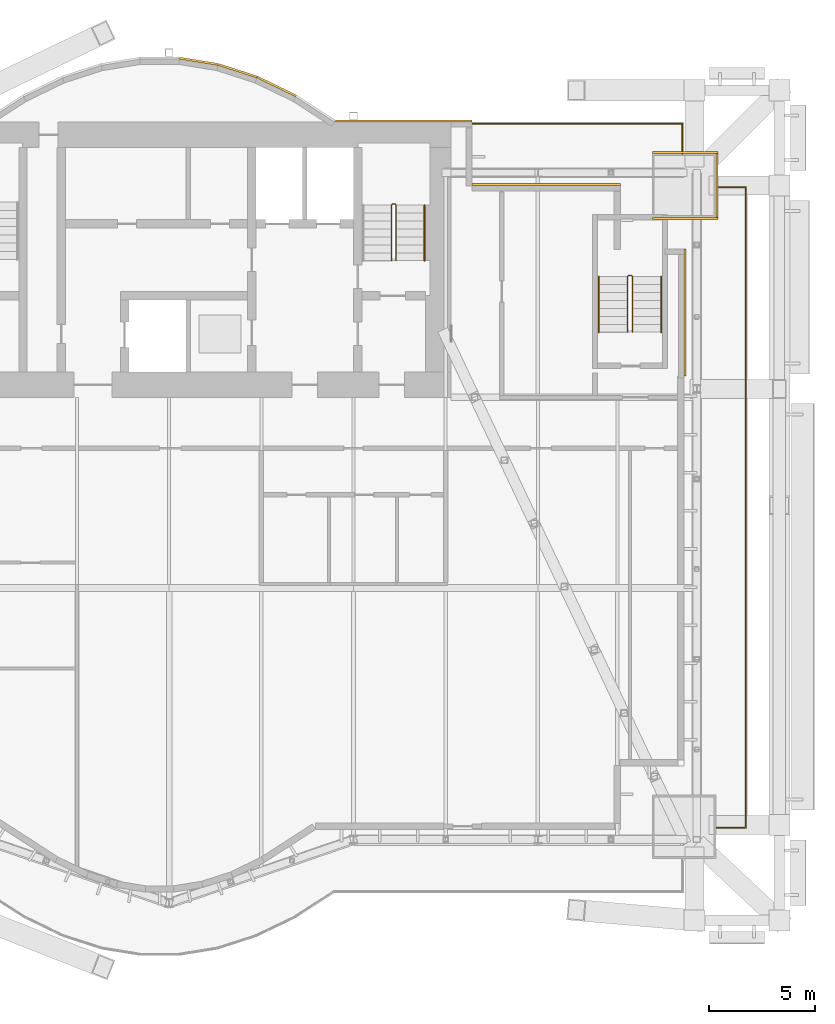
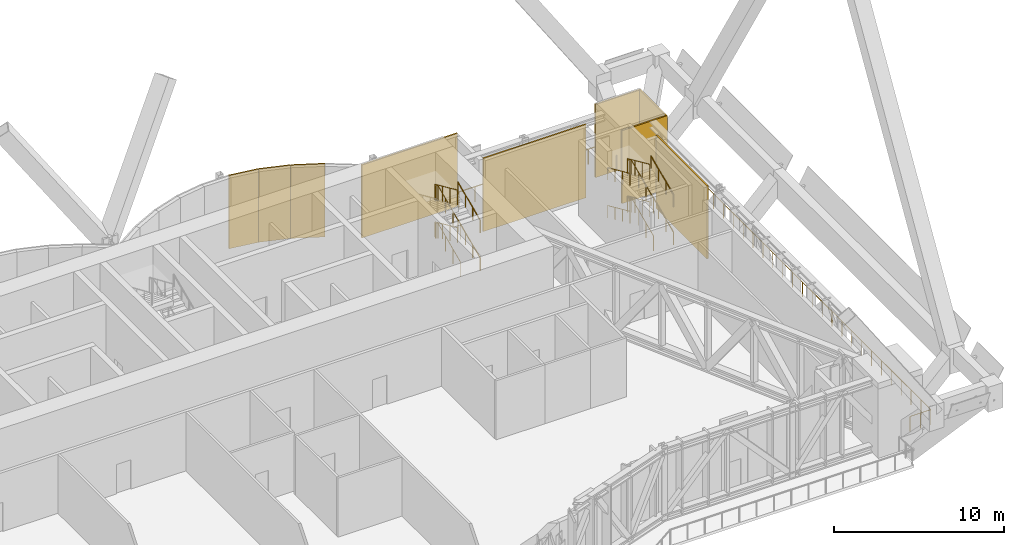
# One storey, part 31 of 32: 12 railings, 9 coverings.
"""IFC4 building model written with IfcOpenShell, lengths in metres."""

import ifcopenshell
import ifcopenshell.guid

model = None  # the IFC model being written
_history = None  # IfcOwnerHistory: only IFC2X3 demands one
_inside = {}  # id of a spatial element -> (the spatial element, [elements in it])
_under = {}  # id of a project, library or spatial element -> (it, [spatial elements below it])
_declared = {}  # id of a project -> (the project, [libraries it declares])
_typed = {}  # id of a type object -> (the type object, [elements of that type])
_made_of = {}  # id of a material, layer set ... -> (it, [elements and type objects made of it])


def new_model(schema):
    """Start an empty IFC model of exactly this schema.

    Asked for "IFC4X3", IfcOpenShell would pick the latest addendum, in which some entities
    have other attributes; the version numbers below select the first issue.
    IFC2X3 requires an IfcOwnerHistory on every rooted entity: one is made here for all.
    """
    global model, _history
    if schema == "IFC4X3":
        model = ifcopenshell.file(schema_version=(4, 3, 0, 0))
    else:
        model = ifcopenshell.file(schema=schema)
    _inside.clear()
    _under.clear()
    _declared.clear()
    _typed.clear()
    _made_of.clear()
    _history = None
    if model.schema == "IFC2X3":
        org = make("IfcOrganization", Name="unknown")
        user = make(
            "IfcPersonAndOrganization",
            ThePerson=make("IfcPerson", FamilyName="unknown"),
            TheOrganization=org,
        )
        app = make(
            "IfcApplication",
            ApplicationDeveloper=org,
            Version="unknown",
            ApplicationFullName="unknown",
            ApplicationIdentifier="unknown",
        )
        _history = make(
            "IfcOwnerHistory",
            OwningUser=user,
            OwningApplication=app,
            ChangeAction="ADDED",
            CreationDate=0,
        )
    return model


def make(cls, **values):
    """One entity of the class cls with the attributes given. An attribute that is None is left unset."""
    return model.create_entity(
        cls, **{name: value for name, value in values.items() if value is not None}
    )


def rooted(cls, **values):
    """An entity with a GlobalId (a new one), such as an element, a storey or a relation."""
    return make(cls, GlobalId=ifcopenshell.guid.new(), OwnerHistory=_history, **values)


def si_unit(unit_type, name, prefix=None):
    """IfcSIUnit, for example si_unit("LENGTHUNIT", "METRE", prefix="MILLI")."""
    return make("IfcSIUnit", UnitType=unit_type, Prefix=prefix, Name=name)


def assignment(units):
    """IfcUnitAssignment: the units of a project."""
    return None if units is None else make("IfcUnitAssignment", Units=units)


def point(xyz):
    """IfcCartesianPoint."""
    return None if xyz is None else make("IfcCartesianPoint", Coordinates=xyz)


def direction(xyz):
    """IfcDirection."""
    return None if xyz is None else make("IfcDirection", DirectionRatios=xyz)


def frame(location, z_axis=None, x_axis=None):
    """IfcAxis2Placement3D, a coordinate frame: its origin and axes. An axis left out is left unset."""
    return make(
        "IfcAxis2Placement3D",
        Location=point(location),
        Axis=direction(z_axis),
        RefDirection=direction(x_axis),
    )


def frame_2d(location, x_axis=None):
    """IfcAxis2Placement2D, a coordinate frame in the plane: its origin and x axis."""
    return make(
        "IfcAxis2Placement2D", Location=point(location), RefDirection=direction(x_axis)
    )


def origin():
    """The frame at (0, 0, 0) with its axes left unset."""
    return frame((0.0, 0.0, 0.0))


def origin_2d():
    """The frame at (0, 0) in the plane with its x axis left unset."""
    return frame_2d((0.0, 0.0))


def place(relative_to, where):
    """IfcLocalPlacement: puts the frame where relative to a parent placement (None: the world)."""
    return make(
        "IfcLocalPlacement", PlacementRelTo=relative_to, RelativePlacement=where
    )


def context(
    kind, dimensions, precision=None, world=None, true_north=None, identifier=None
):
    """IfcGeometricRepresentationContext, for example the 3D "Model" context."""
    return make(
        "IfcGeometricRepresentationContext",
        ContextIdentifier=identifier,
        ContextType=kind,
        CoordinateSpaceDimension=dimensions,
        Precision=precision,
        WorldCoordinateSystem=world,
        TrueNorth=true_north,
    )


def subcontext(parent, identifier, kind, view, scale=None):
    """IfcGeometricRepresentationSubContext, for example "Body" below "Model"."""
    return make(
        "IfcGeometricRepresentationSubContext",
        ContextIdentifier=identifier,
        ContextType=kind,
        ParentContext=parent,
        TargetScale=scale,
        TargetView=view,
    )


def project(units=None, contexts=None):
    """IfcProject with its units and contexts."""
    return rooted(
        "IfcProject",
        Name="project",
        RepresentationContexts=contexts,
        UnitsInContext=assignment(units),
    )


def spatial(cls, under=None, at=None, **own):
    """A site, building, storey or space (cls), placed at a placement, below another one or the project."""
    s = rooted(cls, ObjectPlacement=at, **own)
    if under is not None:
        _under.setdefault(under.id(), (under, []))[1].append(s)
    return s


def profile(cls, at=None, kind="AREA", **sizes):
    """A parametric profile (cls). Its sizes go by their IFC names, for example OverallWidth=200.0."""
    return make(cls, ProfileType=kind, Position=at, **sizes)


def rectangle(**sizes):
    """IfcRectangleProfileDef."""
    return profile("IfcRectangleProfileDef", **sizes)


def circle(**sizes):
    """IfcCircleProfileDef."""
    return profile("IfcCircleProfileDef", **sizes)


def extrude(swept, where, along, depth):
    """IfcExtrudedAreaSolid: the profile swept, set in the frame where, extruded along a direction by depth."""
    return make(
        "IfcExtrudedAreaSolid",
        SweptArea=swept,
        Position=where,
        ExtrudedDirection=direction(along),
        Depth=depth,
    )


def shape(context_of_items, identifier, shape_type, items):
    """IfcShapeRepresentation: the items that make up one representation, for example the "Body"."""
    return make(
        "IfcShapeRepresentation",
        ContextOfItems=context_of_items,
        RepresentationIdentifier=identifier,
        RepresentationType=shape_type,
        Items=items,
    )


def material(Name=None, Category=None):
    """IfcMaterial."""
    return make("IfcMaterial", Name=Name, Category=Category)


def layer(
    of_material, thickness, ventilated=None, Name=None, Category=None, Priority=None
):
    """IfcMaterialLayer: one layer of a wall or slab, of a material (None: an air gap)."""
    return make(
        "IfcMaterialLayer",
        Material=of_material,
        LayerThickness=thickness,
        IsVentilated=ventilated,
        Name=Name,
        Category=Category,
        Priority=Priority,
    )


def layer_set(layers, Name=None):
    """IfcMaterialLayerSet."""
    return make("IfcMaterialLayerSet", MaterialLayers=layers, LayerSetName=Name)


def made_of(thing, what):
    """Note that an element or type object is made of a material, layer set ...; save() writes the relation."""
    if what is not None:
        _made_of.setdefault(what.id(), (what, []))[1].append(thing)
    return thing


def type_object(cls, material=None, **own):
    """A type object (cls), such as IfcWallType, which elements share."""
    return made_of(rooted(cls, **own), material)


def element(
    cls,
    number,
    at=None,
    inside=None,
    cuts=None,
    type_object=None,
    material=None,
    context=None,
    identifier="Body",
    shape_type=None,
    held_by="IfcProductDefinitionShape",
    body=None,
    shapes=None,
    **own,
):
    """One element of the class cls, such as IfcWall. Its Tag is "e" and its number.

    at: its placement. inside: the storey or other place that contains it. cuts: it is an
    opening in that element (IfcRelVoidsElement). A single representation is given by context,
    identifier, shape_type and body (its items); several are given by shapes. held_by: the class
    of the entity that holds the representations. save() writes the other relations.
    """
    e = rooted(cls, Tag="e%d" % number, ObjectPlacement=at, **own)
    if body is not None:
        shapes = [shape(context, identifier, shape_type, body)]
    if shapes is not None:
        e.Representation = make(held_by, Representations=shapes)
    if inside is not None:
        _inside.setdefault(inside.id(), (inside, []))[1].append(e)
    if cuts is not None:
        rooted(
            "IfcRelVoidsElement", RelatingBuildingElement=cuts, RelatedOpeningElement=e
        )
    if type_object is not None:
        _typed.setdefault(type_object.id(), (type_object, []))[1].append(e)
    return made_of(e, material)


def aggregate(whole, parts):
    """IfcRelAggregates: a whole, such as a stair, and the parts it consists of."""
    return rooted("IfcRelAggregates", RelatingObject=whole, RelatedObjects=parts)


def save(model, path):
    """Write the relations noted so far, then the file.

    IfcRelAggregates (storeys below a building ...), IfcRelContainedInSpatialStructure (elements
    in a storey), IfcRelDefinesByType, IfcRelAssociatesMaterial and IfcRelDeclares: one each for
    every whole, place, type object, material and project.
    """
    for whole, parts in _under.values():
        aggregate(whole, parts)
    for where, things in _inside.values():
        rooted(
            "IfcRelContainedInSpatialStructure",
            RelatedElements=things,
            RelatingStructure=where,
        )
    for kind, things in _typed.values():
        rooted("IfcRelDefinesByType", RelatedObjects=things, RelatingType=kind)
    for what, things in _made_of.values():
        rooted("IfcRelAssociatesMaterial", RelatedObjects=things, RelatingMaterial=what)
    for by, libraries in _declared.values():
        rooted("IfcRelDeclares", RelatingContext=by, RelatedDefinitions=libraries)
    model.write(path)


model = new_model("IFC4")

# Units and contexts
model_context = context("Model", 3, precision=1e-05, world=origin(), true_north=direction((0.0, 1.0)))
body_context = subcontext(model_context, "Body", "Model", "MODEL_VIEW")
ifc_project = project(units=[si_unit("LENGTHUNIT", "METRE"), si_unit("AREAUNIT", "SQUARE_METRE"), si_unit("VOLUMEUNIT", "CUBIC_METRE"), si_unit("PLANEANGLEUNIT", "RADIAN"), si_unit("MASSUNIT", "GRAM", prefix="KILO")], contexts=[model_context])

# Site, building, storey
site_placement = place(None, origin())
site = spatial("IfcSite", under=ifc_project, at=site_placement, CompositionType="ELEMENT")
building_placement = place(site_placement, origin())
building = spatial("IfcBuilding", under=site, at=building_placement, Name="Bicima Exchange Tower", CompositionType="ELEMENT")
storey_placement = place(building_placement, frame((0.0, 0.0, 135.0)))
storey = spatial("IfcBuildingStorey", under=building, at=storey_placement, Name="L29", CompositionType="ELEMENT", Elevation=135.0)

# Coverings
ifc_material_1 = material(Name="Bronze metal cladding")
ifc_layer_1 = layer(ifc_material_1, 0.004)
ifc_material_2 = material(Name="Ventilated cavity")
ifc_layer_2 = layer(ifc_material_2, 0.06)
ifc_material_3 = material(Name="Galvanised steel rail and mineral wool", Category="steel")
ifc_layer_3 = layer(ifc_material_3, 0.036)
ifc_layer_set = layer_set([ifc_layer_1, ifc_layer_2, ifc_layer_3], Name="Ventilated cavity")
covering_type = type_object("IfcCoveringType", Name="Bronze metal cladding panel 100", PredefinedType="CLADDING", material=ifc_layer_set)
covering_1_placement = place(storey_placement, frame((33.050048828125, -9.0, 0.0), z_axis=(0.0, 0.0, 1.0), x_axis=(0.0, 1.0, 0.0)))
element("IfcCovering", 1, at=covering_1_placement, inside=storey, type_object=covering_type, Name="Bronze cladding L29 2.1", PredefinedType="CLADDING", context=body_context, shape_type="SweptSolid", body=[
    extrude(rectangle(XDim=6.0, YDim=0.10009765625, at=origin_2d()), origin(), (0.0, 0.0, 1.0), 5.25),
])
covering_2_placement = place(storey_placement, frame((26.5, -2.949951171875, 0.0), z_axis=(0.0, 0.0, 1.0), x_axis=(-1.0, 0.0, 0.0)))
element("IfcCovering", 2, at=covering_2_placement, inside=storey, type_object=covering_type, Name="Bronze cladding L29 5.1", PredefinedType="CLADDING", context=body_context, shape_type="SweptSolid", body=[
    extrude(rectangle(XDim=7.0, YDim=0.10009765625, at=origin_2d()), origin(), (0.0, 0.0, 1.0), 5.25),
])
covering_3_placement = place(storey_placement, frame((19.75, 0.050048828125, 0.0), z_axis=(0.0, 0.0, 1.0), x_axis=(-1.0, 0.0, 0.0)))
element("IfcCovering", 3, at=covering_3_placement, inside=storey, type_object=covering_type, Name="Bronze cladding L29 7.1", PredefinedType="CLADDING", context=body_context, shape_type="SweptSolid", body=[
    extrude(rectangle(XDim=6.5, YDim=0.10009765625, at=origin_2d()), origin(), (0.0, 0.0, 1.0), 5.25),
])
covering_4_placement = place(storey_placement, frame((13.771728515625, 1.674560546875, 0.0), z_axis=(0.0, 0.0, 1.0), x_axis=(-0.899818346812, 0.436264762204, 0.0)))
element("IfcCovering", 4, at=covering_4_placement, inside=storey, type_object=covering_type, Name="Bronze cladding L29 9.1", PredefinedType="CLADDING", context=body_context, shape_type="SweptSolid", body=[
    extrude(rectangle(XDim=2.03759765625, YDim=0.10009765625, at=origin_2d()), origin(), (0.0, 0.0, 1.0), 5.25),
])
covering_5_placement = place(storey_placement, frame((11.931884765625, 2.41796875, 0.0), z_axis=(0.0, 0.0, 1.0), x_axis=(-0.951524642381, 0.307572519808, 0.0)))
element("IfcCovering", 5, at=covering_5_placement, inside=storey, type_object=covering_type, Name="Bronze cladding L29 10.1", PredefinedType="CLADDING", context=body_context, shape_type="SweptSolid", body=[
    extrude(rectangle(XDim=1.9267578125, YDim=0.10009765625, at=origin_2d()), origin(), (0.0, 0.0, 1.0), 5.25),
])
covering_6_placement = place(storey_placement, frame((10.09130859375, 2.8642578125, 0.0), z_axis=(0.0, 0.0, 1.0), x_axis=(-0.987189786347, 0.159550386184, 0.0)))
element("IfcCovering", 6, at=covering_6_placement, inside=storey, type_object=covering_type, Name="Bronze cladding L29 11.1", PredefinedType="CLADDING", context=body_context, shape_type="SweptSolid", body=[
    extrude(rectangle(XDim=1.857177734375, YDim=0.10009765625, at=origin_2d()), origin(), (0.0, 0.0, 1.0), 5.25),
])
for number, where, z_axis, x_axis, name in (
    (7, (33.050048828125, -1.449951171875, 0.0), (0.0, 0.0, 1.0), (1.0, 0.0, 0.0), "Column cladding L29 2N"),
    (8, (33.050048828125, -4.550048828125, 0.0), (0.0, 0.0, 1.0), (1.0, 0.0, 0.0), "Column cladding L29 2S"),
):
    element("IfcCovering", number, at=place(storey_placement, frame(where, z_axis=z_axis, x_axis=x_axis)), inside=storey, type_object=covering_type, Name=name, PredefinedType="CLADDING", context=body_context, shape_type="SweptSolid", body=[
        extrude(rectangle(XDim=3.10009765625, YDim=0.10009765625, at=origin_2d()), origin(), (0.0, 0.0, 1.0), 5.25),
    ])
covering_7_placement = place(storey_placement, frame((34.550048828125, -3.0, 0.0), z_axis=(0.0, 0.0, 1.0), x_axis=(1.0, 0.0, 0.0)))
element("IfcCovering", 9, at=covering_7_placement, inside=storey, type_object=covering_type, Name="Column cladding L29 2O", PredefinedType="CLADDING", context=body_context, shape_type="SweptSolid", body=[
    extrude(rectangle(XDim=0.10009765625, YDim=3.0, at=origin_2d()), origin(), (0.0, 0.0, 1.0), 5.25),
])

# Railings
ifc_material_4 = material(Name="Stainless steel", Category="steel")
railing_type_1 = type_object("IfcRailingType", Name="Stair guard 1100", PredefinedType="GUARDRAIL", material=ifc_material_4)
railing_1_placement = place(storey_placement, frame((19.39990234375, -6.550048828125, 0.168701171875)))
element("IfcRailing", 10, at=railing_1_placement, inside=storey, type_object=railing_type_1, Name="L29 ST-E stair guard 1", PredefinedType="GUARDRAIL", context=body_context, shape_type="SweptSolid", body=[
    extrude(circle(Radius=0.02392578125, at=origin_2d()), frame((0.0, 0.0, 1.076171875), z_axis=(0.0, 0.912201722539, 0.409741403079), x_axis=(-1.0, 0.0, 0.0)), (0.0, 0.0, 1.0), 2.88330078125),
    extrude(circle(Radius=0.02392578125, at=origin_2d()), frame((0.0, 2.630126953125, 2.25732421875), z_axis=(-0.707106781187, 0.707106781187, 0.0), x_axis=(-0.707106781187, -0.707106781187, 0.0)), (0.0, 0.0, 1.0), 0.0703125),
    extrude(circle(Radius=0.02392578125, at=origin_2d()), frame((-0.0498046875, 2.679931640625, 2.25732421875), z_axis=(-1.0, 0.0, 0.0), x_axis=(0.0, -1.0, 0.0)), (0.0, 0.0, 1.0), 0.10009765625),
    extrude(circle(Radius=0.02392578125, at=origin_2d()), frame((-0.14990234375, 2.679931640625, 2.25732421875), z_axis=(-0.273668752699, -0.272333783174, 0.922463942026), x_axis=(0.705375805398, -0.708833529934, 0.0)), (0.0, 0.0, 1.0), 0.182861328125),
    extrude(circle(Radius=0.02392578125, at=origin_2d()), frame((-0.199951171875, 2.630126953125, 2.42626953125), z_axis=(0.0, -0.912233369549, 0.409670940488), x_axis=(1.0, 0.0, 0.0)), (0.0, 0.0, 1.0), 2.883056640625),
    extrude(circle(Radius=0.02099609375, at=origin_2d()), origin(), (0.0, 0.0, 1.0), 1.052001953125),
    extrude(circle(Radius=0.02099609375, at=origin_2d()), frame((0.0, 0.876708984375, 0.393798828125)), (0.0, 0.0, 1.0), 1.052001953125),
    extrude(circle(Radius=0.02099609375, at=origin_2d()), frame((0.0, 1.75341796875, 0.78759765625)), (0.0, 0.0, 1.0), 1.052001953125),
    extrude(circle(Radius=0.02099609375, at=origin_2d()), frame((0.0, 2.630126953125, 1.181396484375)), (0.0, 0.0, 1.0), 1.052001953125),
    extrude(circle(Radius=0.02099609375, at=origin_2d()), frame((-0.0498046875, 2.679931640625, 1.181396484375)), (0.0, 0.0, 1.0), 1.052001953125),
    extrude(circle(Radius=0.02099609375, at=origin_2d()), frame((-0.14990234375, 2.679931640625, 1.181396484375)), (0.0, 0.0, 1.0), 1.052001953125),
    extrude(circle(Radius=0.02099609375, at=origin_2d()), frame((-0.199951171875, 2.630126953125, 1.35009765625)), (0.0, 0.0, 1.0), 1.052001953125),
    extrude(circle(Radius=0.02099609375, at=origin_2d()), frame((-0.199951171875, 1.75341796875, 1.743896484375)), (0.0, 0.0, 1.0), 1.052001953125),
    extrude(circle(Radius=0.02099609375, at=origin_2d()), frame((-0.199951171875, 0.876708984375, 2.137451171875)), (0.0, 0.0, 1.0), 1.052001953125),
    extrude(circle(Radius=0.02099609375, at=origin_2d()), frame((-0.199951171875, 0.0, 2.53125)), (0.0, 0.0, 1.0), 1.052001953125),
])
railing_2_placement = place(storey_placement, frame((19.39990234375, -6.550048828125, 2.86865234375)))
element("IfcRailing", 11, at=railing_2_placement, inside=storey, type_object=railing_type_1, Name="L29 ST-E stair guard 2", PredefinedType="GUARDRAIL", context=body_context, shape_type="SweptSolid", body=[
    extrude(circle(Radius=0.02392578125, at=origin_2d()), frame((0.0, 0.0, 1.076171875), z_axis=(0.0, 0.912201722539, 0.409741403079), x_axis=(-1.0, 0.0, 0.0)), (0.0, 0.0, 1.0), 2.88330078125),
    extrude(circle(Radius=0.02392578125, at=origin_2d()), frame((0.0, 2.630126953125, 2.25732421875), z_axis=(-0.707106781187, 0.707106781187, 0.0), x_axis=(-0.707106781187, -0.707106781187, 0.0)), (0.0, 0.0, 1.0), 0.0703125),
    extrude(circle(Radius=0.02392578125, at=origin_2d()), frame((-0.0498046875, 2.679931640625, 2.25732421875), z_axis=(-1.0, 0.0, 0.0), x_axis=(0.0, -1.0, 0.0)), (0.0, 0.0, 1.0), 0.10009765625),
    extrude(circle(Radius=0.02392578125, at=origin_2d()), frame((-0.14990234375, 2.679931640625, 2.25732421875), z_axis=(-0.273668752699, -0.272333783174, 0.922463942026), x_axis=(0.705375805398, -0.708833529934, 0.0)), (0.0, 0.0, 1.0), 0.182861328125),
    extrude(circle(Radius=0.02392578125, at=origin_2d()), frame((-0.199951171875, 2.630126953125, 2.42626953125), z_axis=(0.0, -0.912233369549, 0.409670940488), x_axis=(1.0, 0.0, 0.0)), (0.0, 0.0, 1.0), 2.883056640625),
    extrude(circle(Radius=0.02099609375, at=origin_2d()), origin(), (0.0, 0.0, 1.0), 1.052001953125),
    extrude(circle(Radius=0.02099609375, at=origin_2d()), frame((0.0, 0.876708984375, 0.393798828125)), (0.0, 0.0, 1.0), 1.052001953125),
    extrude(circle(Radius=0.02099609375, at=origin_2d()), frame((0.0, 1.75341796875, 0.78759765625)), (0.0, 0.0, 1.0), 1.052001953125),
    extrude(circle(Radius=0.02099609375, at=origin_2d()), frame((0.0, 2.630126953125, 1.181396484375)), (0.0, 0.0, 1.0), 1.052001953125),
    extrude(circle(Radius=0.02099609375, at=origin_2d()), frame((-0.0498046875, 2.679931640625, 1.181396484375)), (0.0, 0.0, 1.0), 1.052001953125),
    extrude(circle(Radius=0.02099609375, at=origin_2d()), frame((-0.14990234375, 2.679931640625, 1.181396484375)), (0.0, 0.0, 1.0), 1.052001953125),
    extrude(circle(Radius=0.02099609375, at=origin_2d()), frame((-0.199951171875, 2.630126953125, 1.35009765625)), (0.0, 0.0, 1.0), 1.052001953125),
    extrude(circle(Radius=0.02099609375, at=origin_2d()), frame((-0.199951171875, 1.75341796875, 1.743896484375)), (0.0, 0.0, 1.0), 1.052001953125),
    extrude(circle(Radius=0.02099609375, at=origin_2d()), frame((-0.199951171875, 0.876708984375, 2.137451171875)), (0.0, 0.0, 1.0), 1.052001953125),
    extrude(circle(Radius=0.02099609375, at=origin_2d()), frame((-0.199951171875, 0.0, 2.53125)), (0.0, 0.0, 1.0), 1.052001953125),
])
railing_3_placement = place(storey_placement, frame((30.574951171875, -9.925048828125, 0.168701171875)))
element("IfcRailing", 12, at=railing_3_placement, inside=storey, type_object=railing_type_1, Name="L29 ST-EE stair guard 1", PredefinedType="GUARDRAIL", context=body_context, shape_type="SweptSolid", body=[
    extrude(circle(Radius=0.02392578125, at=origin_2d()), frame((0.0, 0.0, 1.076171875), z_axis=(0.0, 0.912201722539, 0.409741403079), x_axis=(-1.0, 0.0, 0.0)), (0.0, 0.0, 1.0), 2.88330078125),
    extrude(circle(Radius=0.02392578125, at=origin_2d()), frame((0.0, 2.630126953125, 2.25732421875), z_axis=(-0.708833529934, 0.705375805398, 0.0), x_axis=(-0.705375805398, -0.708833529934, 0.0)), (0.0, 0.0, 1.0), 0.070556640625),
    extrude(circle(Radius=0.02392578125, at=origin_2d()), frame((-0.050048828125, 2.679931640625, 2.25732421875), z_axis=(-1.0, 0.0, 0.0), x_axis=(0.0, -1.0, 0.0)), (0.0, 0.0, 1.0), 0.14990234375),
    extrude(circle(Radius=0.02392578125, at=origin_2d()), frame((-0.199951171875, 2.679931640625, 2.25732421875), z_axis=(-0.273668752699, -0.272333783174, 0.922463942026), x_axis=(0.705375805398, -0.708833529934, 0.0)), (0.0, 0.0, 1.0), 0.182861328125),
    extrude(circle(Radius=0.02392578125, at=origin_2d()), frame((-0.25, 2.630126953125, 2.42626953125), z_axis=(0.0, -0.912233369549, 0.409670940488), x_axis=(1.0, 0.0, 0.0)), (0.0, 0.0, 1.0), 2.883056640625),
    extrude(circle(Radius=0.02099609375, at=origin_2d()), origin(), (0.0, 0.0, 1.0), 1.052001953125),
    extrude(circle(Radius=0.02099609375, at=origin_2d()), frame((0.0, 0.876708984375, 0.393798828125)), (0.0, 0.0, 1.0), 1.052001953125),
    extrude(circle(Radius=0.02099609375, at=origin_2d()), frame((0.0, 1.75341796875, 0.78759765625)), (0.0, 0.0, 1.0), 1.052001953125),
    extrude(circle(Radius=0.02099609375, at=origin_2d()), frame((0.0, 2.630126953125, 1.181396484375)), (0.0, 0.0, 1.0), 1.052001953125),
    extrude(circle(Radius=0.02099609375, at=origin_2d()), frame((-0.050048828125, 2.679931640625, 1.181396484375)), (0.0, 0.0, 1.0), 1.052001953125),
    extrude(circle(Radius=0.02099609375, at=origin_2d()), frame((-0.199951171875, 2.679931640625, 1.181396484375)), (0.0, 0.0, 1.0), 1.052001953125),
    extrude(circle(Radius=0.02099609375, at=origin_2d()), frame((-0.25, 2.630126953125, 1.35009765625)), (0.0, 0.0, 1.0), 1.052001953125),
    extrude(circle(Radius=0.02099609375, at=origin_2d()), frame((-0.25, 1.75341796875, 1.743896484375)), (0.0, 0.0, 1.0), 1.052001953125),
    extrude(circle(Radius=0.02099609375, at=origin_2d()), frame((-0.25, 0.876708984375, 2.137451171875)), (0.0, 0.0, 1.0), 1.052001953125),
    extrude(circle(Radius=0.02099609375, at=origin_2d()), frame((-0.25, 0.0, 2.53125)), (0.0, 0.0, 1.0), 1.052001953125),
])
railing_4_placement = place(storey_placement, frame((30.574951171875, -9.925048828125, 2.86865234375)))
element("IfcRailing", 13, at=railing_4_placement, inside=storey, type_object=railing_type_1, Name="L29 ST-EE stair guard 2", PredefinedType="GUARDRAIL", context=body_context, shape_type="SweptSolid", body=[
    extrude(circle(Radius=0.02392578125, at=origin_2d()), frame((0.0, 0.0, 1.076171875), z_axis=(0.0, 0.912201722539, 0.409741403079), x_axis=(-1.0, 0.0, 0.0)), (0.0, 0.0, 1.0), 2.88330078125),
    extrude(circle(Radius=0.02392578125, at=origin_2d()), frame((0.0, 2.630126953125, 2.25732421875), z_axis=(-0.708833529934, 0.705375805398, 0.0), x_axis=(-0.705375805398, -0.708833529934, 0.0)), (0.0, 0.0, 1.0), 0.070556640625),
    extrude(circle(Radius=0.02392578125, at=origin_2d()), frame((-0.050048828125, 2.679931640625, 2.25732421875), z_axis=(-1.0, 0.0, 0.0), x_axis=(0.0, -1.0, 0.0)), (0.0, 0.0, 1.0), 0.14990234375),
    extrude(circle(Radius=0.02392578125, at=origin_2d()), frame((-0.199951171875, 2.679931640625, 2.25732421875), z_axis=(-0.273668752699, -0.272333783174, 0.922463942026), x_axis=(0.705375805398, -0.708833529934, 0.0)), (0.0, 0.0, 1.0), 0.182861328125),
    extrude(circle(Radius=0.02392578125, at=origin_2d()), frame((-0.25, 2.630126953125, 2.42626953125), z_axis=(0.0, -0.912233369549, 0.409670940488), x_axis=(1.0, 0.0, 0.0)), (0.0, 0.0, 1.0), 2.883056640625),
    extrude(circle(Radius=0.02099609375, at=origin_2d()), origin(), (0.0, 0.0, 1.0), 1.052001953125),
    extrude(circle(Radius=0.02099609375, at=origin_2d()), frame((0.0, 0.876708984375, 0.393798828125)), (0.0, 0.0, 1.0), 1.052001953125),
    extrude(circle(Radius=0.02099609375, at=origin_2d()), frame((0.0, 1.75341796875, 0.78759765625)), (0.0, 0.0, 1.0), 1.052001953125),
    extrude(circle(Radius=0.02099609375, at=origin_2d()), frame((0.0, 2.630126953125, 1.181396484375)), (0.0, 0.0, 1.0), 1.052001953125),
    extrude(circle(Radius=0.02099609375, at=origin_2d()), frame((-0.050048828125, 2.679931640625, 1.181396484375)), (0.0, 0.0, 1.0), 1.052001953125),
    extrude(circle(Radius=0.02099609375, at=origin_2d()), frame((-0.199951171875, 2.679931640625, 1.181396484375)), (0.0, 0.0, 1.0), 1.052001953125),
    extrude(circle(Radius=0.02099609375, at=origin_2d()), frame((-0.25, 2.630126953125, 1.35009765625)), (0.0, 0.0, 1.0), 1.052001953125),
    extrude(circle(Radius=0.02099609375, at=origin_2d()), frame((-0.25, 1.75341796875, 1.743896484375)), (0.0, 0.0, 1.0), 1.052001953125),
    extrude(circle(Radius=0.02099609375, at=origin_2d()), frame((-0.25, 0.876708984375, 2.137451171875)), (0.0, 0.0, 1.0), 1.052001953125),
    extrude(circle(Radius=0.02099609375, at=origin_2d()), frame((-0.25, 0.0, 2.53125)), (0.0, 0.0, 1.0), 1.052001953125),
])
railing_type_2 = type_object("IfcRailingType", Name="Stair handrail 900", PredefinedType="HANDRAIL", material=ifc_material_4)
for number, where, name in (
    (14, (20.75, -6.550048828125, 0.168701171875), "L29 ST-E stair handrail 1"),
    (15, (20.75, -6.550048828125, 2.86865234375), "L29 ST-E stair handrail 3"),
    (16, (31.925048828125, -9.925048828125, 0.168701171875), "L29 ST-EE stair handrail 1"),
):
    element("IfcRailing", number, at=place(storey_placement, frame(where)), inside=storey, type_object=railing_type_2, Name=name, PredefinedType="HANDRAIL", context=body_context, shape_type="SweptSolid", body=[
        extrude(circle(Radius=0.02392578125, at=origin_2d()), frame((0.0, 0.0, 0.8759765625), z_axis=(0.0, 0.912201722539, 0.409741403079), x_axis=(-1.0, 0.0, 0.0)), (0.0, 0.0, 1.0), 2.88330078125),
        extrude(circle(Radius=0.02099609375, at=origin_2d()), origin(), (0.0, 0.0, 1.0), 0.851806640625),
        extrude(circle(Radius=0.02099609375, at=origin_2d()), frame((0.0, 0.876708984375, 0.393798828125)), (0.0, 0.0, 1.0), 0.851806640625),
        extrude(circle(Radius=0.02099609375, at=origin_2d()), frame((0.0, 1.75341796875, 0.78759765625)), (0.0, 0.0, 1.0), 0.851806640625),
        extrude(circle(Radius=0.02099609375, at=origin_2d()), frame((0.0, 2.630126953125, 1.181396484375)), (0.0, 0.0, 1.0), 0.851806640625),
    ])
railing_5_placement = place(storey_placement, frame((28.97509765625, -7.294921875, 1.518798828125)))
element("IfcRailing", 17, at=railing_5_placement, inside=storey, type_object=railing_type_2, Name="L29 ST-EE stair handrail 2", PredefinedType="HANDRAIL", context=body_context, shape_type="SweptSolid", body=[
    extrude(circle(Radius=0.02392578125, at=origin_2d()), frame((0.0, 0.0, 0.8759765625), z_axis=(0.0, -0.912233369549, 0.409670940488), x_axis=(1.0, 0.0, 0.0)), (0.0, 0.0, 1.0), 2.883056640625),
    extrude(circle(Radius=0.02099609375, at=origin_2d()), origin(), (0.0, 0.0, 1.0), 0.851806640625),
    extrude(circle(Radius=0.02099609375, at=origin_2d()), frame((0.0, -0.876708984375, 0.393798828125)), (0.0, 0.0, 1.0), 0.851806640625),
    extrude(circle(Radius=0.02099609375, at=origin_2d()), frame((0.0, -1.75341796875, 0.787353515625)), (0.0, 0.0, 1.0), 0.851806640625),
    extrude(circle(Radius=0.02099609375, at=origin_2d()), frame((0.0, -2.630126953125, 1.18115234375)), (0.0, 0.0, 1.0), 0.851806640625),
])
railing_6_placement = place(storey_placement, frame((31.925048828125, -9.925048828125, 2.86865234375)))
element("IfcRailing", 18, at=railing_6_placement, inside=storey, type_object=railing_type_2, Name="L29 ST-EE stair handrail 3", PredefinedType="HANDRAIL", context=body_context, shape_type="SweptSolid", body=[
    extrude(circle(Radius=0.02392578125, at=origin_2d()), frame((0.0, 0.0, 0.8759765625), z_axis=(0.0, 0.912201722539, 0.409741403079), x_axis=(-1.0, 0.0, 0.0)), (0.0, 0.0, 1.0), 2.88330078125),
    extrude(circle(Radius=0.02099609375, at=origin_2d()), origin(), (0.0, 0.0, 1.0), 0.851806640625),
    extrude(circle(Radius=0.02099609375, at=origin_2d()), frame((0.0, 0.876708984375, 0.393798828125)), (0.0, 0.0, 1.0), 0.851806640625),
    extrude(circle(Radius=0.02099609375, at=origin_2d()), frame((0.0, 1.75341796875, 0.78759765625)), (0.0, 0.0, 1.0), 0.851806640625),
    extrude(circle(Radius=0.02099609375, at=origin_2d()), frame((0.0, 2.630126953125, 1.181396484375)), (0.0, 0.0, 1.0), 0.851806640625),
])
railing_7_placement = place(storey_placement, frame((28.97509765625, -7.294921875, 4.241455078125)))
element("IfcRailing", 19, at=railing_7_placement, inside=storey, type_object=railing_type_2, Name="L29 ST-EE stair handrail 4", PredefinedType="HANDRAIL", context=body_context, shape_type="SweptSolid", body=[
    extrude(circle(Radius=0.02392578125, at=origin_2d()), frame((0.0, 0.0, 0.8759765625), z_axis=(0.0, -0.912201722539, 0.409741403079), x_axis=(1.0, 0.0, 0.0)), (0.0, 0.0, 1.0), 2.88330078125),
    extrude(circle(Radius=0.02099609375, at=origin_2d()), origin(), (0.0, 0.0, 1.0), 0.851806640625),
    extrude(circle(Radius=0.02099609375, at=origin_2d()), frame((0.0, -0.876708984375, 0.393798828125)), (0.0, 0.0, 1.0), 0.851806640625),
    extrude(circle(Radius=0.02099609375, at=origin_2d()), frame((0.0, -1.75341796875, 0.78759765625)), (0.0, 0.0, 1.0), 0.851806640625),
    extrude(circle(Radius=0.02099609375, at=origin_2d()), frame((0.0, -2.630126953125, 1.181396484375)), (0.0, 0.0, 1.0), 0.851806640625),
])
ifc_material_5 = material(Name="Stainless steel and bonded safety glass", Category="steel")
railing_type_3 = type_object("IfcRailingType", Name="Terrace guard 1100", PredefinedType="GUARDRAIL", material=ifc_material_5)
railing_8_placement = place(storey_placement, frame((23.02001953125, -0.080078125, 0.0)))
element("IfcRailing", 20, at=railing_8_placement, inside=storey, type_object=railing_type_3, Name="Terrace guard L29 3", PredefinedType="GUARDRAIL", context=body_context, shape_type="SweptSolid", body=[
    extrude(circle(Radius=0.02392578125, at=origin_2d()), frame((0.0, 0.0, 1.076171875), z_axis=(1.0, 0.0, 0.0), x_axis=(0.0, 1.0, 0.0)), (0.0, 0.0, 1.0), 9.89990234375),
    extrude(circle(Radius=0.02392578125, at=origin_2d()), frame((9.89990234375, 0.0, 1.076171875), z_axis=(0.0, -1.0, 0.0), x_axis=(1.0, 0.0, 0.0)), (0.0, 0.0, 1.0), 1.419921875),
    extrude(circle(Radius=0.02099609375, at=origin_2d()), origin(), (0.0, 0.0, 1.0), 1.052001953125),
    extrude(circle(Radius=0.02099609375, at=origin_2d()), frame((1.10009765625, 0.0, 0.0)), (0.0, 0.0, 1.0), 1.052001953125),
    extrude(circle(Radius=0.02099609375, at=origin_2d()), frame((2.199951171875, 0.0, 0.0)), (0.0, 0.0, 1.0), 1.052001953125),
    extrude(circle(Radius=0.02099609375, at=origin_2d()), frame((3.300048828125, 0.0, 0.0)), (0.0, 0.0, 1.0), 1.052001953125),
    extrude(circle(Radius=0.02099609375, at=origin_2d()), frame((4.39990234375, 0.0, 0.0)), (0.0, 0.0, 1.0), 1.052001953125),
    extrude(circle(Radius=0.02099609375, at=origin_2d()), frame((5.5, 0.0, 0.0)), (0.0, 0.0, 1.0), 1.052001953125),
    extrude(circle(Radius=0.02099609375, at=origin_2d()), frame((6.599853515625, 0.0, 0.0)), (0.0, 0.0, 1.0), 1.052001953125),
    extrude(circle(Radius=0.02099609375, at=origin_2d()), frame((7.699951171875, 0.0, 0.0)), (0.0, 0.0, 1.0), 1.052001953125),
    extrude(circle(Radius=0.02099609375, at=origin_2d()), frame((8.7998046875, 0.0, 0.0)), (0.0, 0.0, 1.0), 1.052001953125),
    extrude(circle(Radius=0.02099609375, at=origin_2d()), frame((9.89990234375, 0.0, 0.0)), (0.0, 0.0, 1.0), 1.052001953125),
    extrude(circle(Radius=0.02099609375, at=origin_2d()), frame((9.89990234375, -0.7099609375, 0.0)), (0.0, 0.0, 1.0), 1.052001953125),
    extrude(circle(Radius=0.02099609375, at=origin_2d()), frame((9.89990234375, -1.419921875, 0.0)), (0.0, 0.0, 1.0), 1.052001953125),
])
railing_9_placement = place(storey_placement, frame((34.5, -3.080078125, 0.0)))
element("IfcRailing", 21, at=railing_9_placement, inside=storey, type_object=railing_type_3, Name="Terrace guard L29 4", PredefinedType="GUARDRAIL", context=body_context, shape_type="SweptSolid", body=[
    extrude(circle(Radius=0.02392578125, at=origin_2d()), frame((0.0, 0.0, 1.076171875), z_axis=(1.0, 0.0, 0.0), x_axis=(0.0, 1.0, 0.0)), (0.0, 0.0, 1.0), 1.419921875),
    extrude(circle(Radius=0.02392578125, at=origin_2d()), frame((1.419921875, 0.0, 1.076171875), z_axis=(0.0, -1.0, 0.0), x_axis=(1.0, 0.0, 0.0)), (0.0, 0.0, 1.0), 30.22802734375),
    extrude(circle(Radius=0.02392578125, at=origin_2d()), frame((1.419921875, -30.22802734375, 1.076171875), z_axis=(-1.0, 0.0, 0.0), x_axis=(0.0, -1.0, 0.0)), (0.0, 0.0, 1.0), 1.419921875),
    extrude(circle(Radius=0.02099609375, at=origin_2d()), origin(), (0.0, 0.0, 1.0), 1.052001953125),
    extrude(circle(Radius=0.02099609375, at=origin_2d()), frame((0.7099609375, 0.0, 0.0)), (0.0, 0.0, 1.0), 1.052001953125),
    extrude(circle(Radius=0.02099609375, at=origin_2d()), frame((1.419921875, 0.0, 0.0)), (0.0, 0.0, 1.0), 1.052001953125),
    extrude(circle(Radius=0.02099609375, at=origin_2d()), frame((1.419921875, -1.16259765625, 0.0)), (0.0, 0.0, 1.0), 1.052001953125),
    extrude(circle(Radius=0.02099609375, at=origin_2d()), frame((1.419921875, -2.3251953125, 0.0)), (0.0, 0.0, 1.0), 1.052001953125),
    extrude(circle(Radius=0.02099609375, at=origin_2d()), frame((1.419921875, -3.48779296875, 0.0)), (0.0, 0.0, 1.0), 1.052001953125),
    extrude(circle(Radius=0.02099609375, at=origin_2d()), frame((1.419921875, -4.650390625, 0.0)), (0.0, 0.0, 1.0), 1.052001953125),
    extrude(circle(Radius=0.02099609375, at=origin_2d()), frame((1.419921875, -5.81298828125, 0.0)), (0.0, 0.0, 1.0), 1.052001953125),
    extrude(circle(Radius=0.02099609375, at=origin_2d()), frame((1.419921875, -6.9755859375, 0.0)), (0.0, 0.0, 1.0), 1.052001953125),
    extrude(circle(Radius=0.02099609375, at=origin_2d()), frame((1.419921875, -8.138427734375, 0.0)), (0.0, 0.0, 1.0), 1.052001953125),
    extrude(circle(Radius=0.02099609375, at=origin_2d()), frame((1.419921875, -9.301025390625, 0.0)), (0.0, 0.0, 1.0), 1.052001953125),
    extrude(circle(Radius=0.02099609375, at=origin_2d()), frame((1.419921875, -10.463623046875, 0.0)), (0.0, 0.0, 1.0), 1.052001953125),
    extrude(circle(Radius=0.02099609375, at=origin_2d()), frame((1.419921875, -11.626220703125, 0.0)), (0.0, 0.0, 1.0), 1.052001953125),
    extrude(circle(Radius=0.02099609375, at=origin_2d()), frame((1.419921875, -12.788818359375, 0.0)), (0.0, 0.0, 1.0), 1.052001953125),
    extrude(circle(Radius=0.02099609375, at=origin_2d()), frame((1.419921875, -13.951416015625, 0.0)), (0.0, 0.0, 1.0), 1.052001953125),
    extrude(circle(Radius=0.02099609375, at=origin_2d()), frame((1.419921875, -15.114013671875, 0.0)), (0.0, 0.0, 1.0), 1.052001953125),
    extrude(circle(Radius=0.02099609375, at=origin_2d()), frame((1.419921875, -16.276611328125, 0.0)), (0.0, 0.0, 1.0), 1.052001953125),
    extrude(circle(Radius=0.02099609375, at=origin_2d()), frame((1.419921875, -17.439208984375, 0.0)), (0.0, 0.0, 1.0), 1.052001953125),
    extrude(circle(Radius=0.02099609375, at=origin_2d()), frame((1.419921875, -18.601806640625, 0.0)), (0.0, 0.0, 1.0), 1.052001953125),
    extrude(circle(Radius=0.02099609375, at=origin_2d()), frame((1.419921875, -19.764404296875, 0.0)), (0.0, 0.0, 1.0), 1.052001953125),
    extrude(circle(Radius=0.02099609375, at=origin_2d()), frame((1.419921875, -20.927001953125, 0.0)), (0.0, 0.0, 1.0), 1.052001953125),
    extrude(circle(Radius=0.02099609375, at=origin_2d()), frame((1.419921875, -22.089599609375, 0.0)), (0.0, 0.0, 1.0), 1.052001953125),
    extrude(circle(Radius=0.02099609375, at=origin_2d()), frame((1.419921875, -23.25244140625, 0.0)), (0.0, 0.0, 1.0), 1.052001953125),
    extrude(circle(Radius=0.02099609375, at=origin_2d()), frame((1.419921875, -24.4150390625, 0.0)), (0.0, 0.0, 1.0), 1.052001953125),
    extrude(circle(Radius=0.02099609375, at=origin_2d()), frame((1.419921875, -25.57763671875, 0.0)), (0.0, 0.0, 1.0), 1.052001953125),
    extrude(circle(Radius=0.02099609375, at=origin_2d()), frame((1.419921875, -26.740234375, 0.0)), (0.0, 0.0, 1.0), 1.052001953125),
    extrude(circle(Radius=0.02099609375, at=origin_2d()), frame((1.419921875, -27.90283203125, 0.0)), (0.0, 0.0, 1.0), 1.052001953125),
    extrude(circle(Radius=0.02099609375, at=origin_2d()), frame((1.419921875, -29.0654296875, 0.0)), (0.0, 0.0, 1.0), 1.052001953125),
    extrude(circle(Radius=0.02099609375, at=origin_2d()), frame((1.419921875, -30.22802734375, 0.0)), (0.0, 0.0, 1.0), 1.052001953125),
    extrude(circle(Radius=0.02099609375, at=origin_2d()), frame((0.7099609375, -30.22802734375, 0.0)), (0.0, 0.0, 1.0), 1.052001953125),
    extrude(circle(Radius=0.02099609375, at=origin_2d()), frame((0.0, -30.22802734375, 0.0)), (0.0, 0.0, 1.0), 1.052001953125),
])

save(model, "model.ifc")
